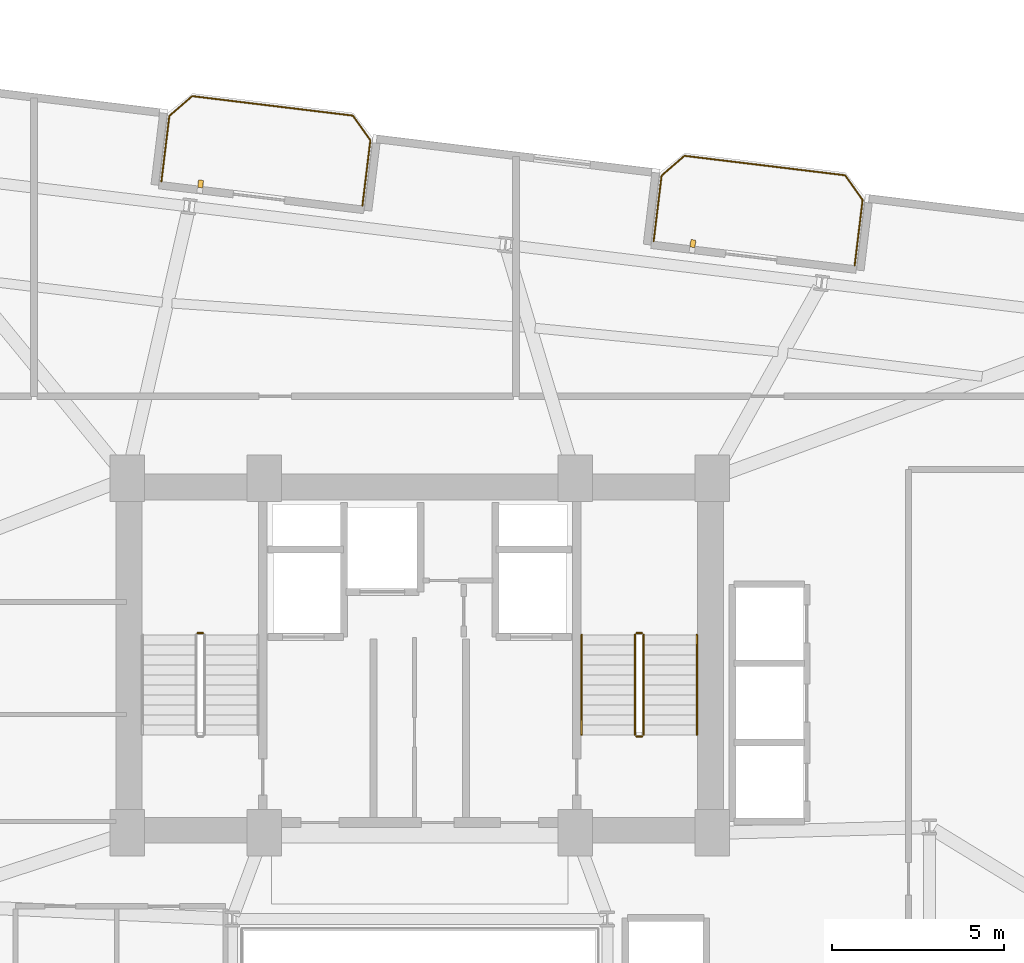
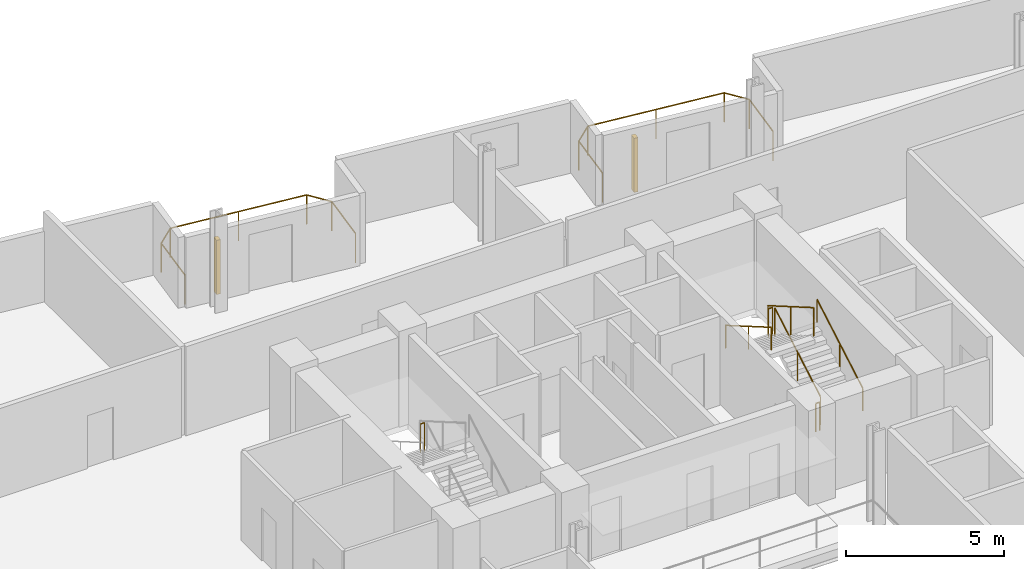
# One storey, part 25 of 25: 9 railings, 2 shading devices.
"""IFC4 building model written with IfcOpenShell, lengths in metres."""

import ifcopenshell
import ifcopenshell.guid

model = None  # the IFC model being written
_history = None  # IfcOwnerHistory: only IFC2X3 demands one
_inside = {}  # id of a spatial element -> (the spatial element, [elements in it])
_under = {}  # id of a project, library or spatial element -> (it, [spatial elements below it])
_declared = {}  # id of a project -> (the project, [libraries it declares])
_typed = {}  # id of a type object -> (the type object, [elements of that type])
_made_of = {}  # id of a material, layer set ... -> (it, [elements and type objects made of it])


def new_model(schema):
    """Start an empty IFC model of exactly this schema.

    Asked for "IFC4X3", IfcOpenShell would pick the latest addendum, in which some entities
    have other attributes; the version numbers below select the first issue.
    IFC2X3 requires an IfcOwnerHistory on every rooted entity: one is made here for all.
    """
    global model, _history
    if schema == "IFC4X3":
        model = ifcopenshell.file(schema_version=(4, 3, 0, 0))
    else:
        model = ifcopenshell.file(schema=schema)
    _inside.clear()
    _under.clear()
    _declared.clear()
    _typed.clear()
    _made_of.clear()
    _history = None
    if model.schema == "IFC2X3":
        org = make("IfcOrganization", Name="unknown")
        user = make(
            "IfcPersonAndOrganization",
            ThePerson=make("IfcPerson", FamilyName="unknown"),
            TheOrganization=org,
        )
        app = make(
            "IfcApplication",
            ApplicationDeveloper=org,
            Version="unknown",
            ApplicationFullName="unknown",
            ApplicationIdentifier="unknown",
        )
        _history = make(
            "IfcOwnerHistory",
            OwningUser=user,
            OwningApplication=app,
            ChangeAction="ADDED",
            CreationDate=0,
        )
    return model


def make(cls, **values):
    """One entity of the class cls with the attributes given. An attribute that is None is left unset."""
    return model.create_entity(
        cls, **{name: value for name, value in values.items() if value is not None}
    )


def rooted(cls, **values):
    """An entity with a GlobalId (a new one), such as an element, a storey or a relation."""
    return make(cls, GlobalId=ifcopenshell.guid.new(), OwnerHistory=_history, **values)


def si_unit(unit_type, name, prefix=None):
    """IfcSIUnit, for example si_unit("LENGTHUNIT", "METRE", prefix="MILLI")."""
    return make("IfcSIUnit", UnitType=unit_type, Prefix=prefix, Name=name)


def assignment(units):
    """IfcUnitAssignment: the units of a project."""
    return None if units is None else make("IfcUnitAssignment", Units=units)


def point(xyz):
    """IfcCartesianPoint."""
    return None if xyz is None else make("IfcCartesianPoint", Coordinates=xyz)


def direction(xyz):
    """IfcDirection."""
    return None if xyz is None else make("IfcDirection", DirectionRatios=xyz)


def frame(location, z_axis=None, x_axis=None):
    """IfcAxis2Placement3D, a coordinate frame: its origin and axes. An axis left out is left unset."""
    return make(
        "IfcAxis2Placement3D",
        Location=point(location),
        Axis=direction(z_axis),
        RefDirection=direction(x_axis),
    )


def frame_2d(location, x_axis=None):
    """IfcAxis2Placement2D, a coordinate frame in the plane: its origin and x axis."""
    return make(
        "IfcAxis2Placement2D", Location=point(location), RefDirection=direction(x_axis)
    )


def origin():
    """The frame at (0, 0, 0) with its axes left unset."""
    return frame((0.0, 0.0, 0.0))


def origin_2d():
    """The frame at (0, 0) in the plane with its x axis left unset."""
    return frame_2d((0.0, 0.0))


def place(relative_to, where):
    """IfcLocalPlacement: puts the frame where relative to a parent placement (None: the world)."""
    return make(
        "IfcLocalPlacement", PlacementRelTo=relative_to, RelativePlacement=where
    )


def context(
    kind, dimensions, precision=None, world=None, true_north=None, identifier=None
):
    """IfcGeometricRepresentationContext, for example the 3D "Model" context."""
    return make(
        "IfcGeometricRepresentationContext",
        ContextIdentifier=identifier,
        ContextType=kind,
        CoordinateSpaceDimension=dimensions,
        Precision=precision,
        WorldCoordinateSystem=world,
        TrueNorth=true_north,
    )


def subcontext(parent, identifier, kind, view, scale=None):
    """IfcGeometricRepresentationSubContext, for example "Body" below "Model"."""
    return make(
        "IfcGeometricRepresentationSubContext",
        ContextIdentifier=identifier,
        ContextType=kind,
        ParentContext=parent,
        TargetScale=scale,
        TargetView=view,
    )


def project(units=None, contexts=None):
    """IfcProject with its units and contexts."""
    return rooted(
        "IfcProject",
        Name="project",
        RepresentationContexts=contexts,
        UnitsInContext=assignment(units),
    )


def spatial(cls, under=None, at=None, **own):
    """A site, building, storey or space (cls), placed at a placement, below another one or the project."""
    s = rooted(cls, ObjectPlacement=at, **own)
    if under is not None:
        _under.setdefault(under.id(), (under, []))[1].append(s)
    return s


def profile(cls, at=None, kind="AREA", **sizes):
    """A parametric profile (cls). Its sizes go by their IFC names, for example OverallWidth=200.0."""
    return make(cls, ProfileType=kind, Position=at, **sizes)


def rectangle(**sizes):
    """IfcRectangleProfileDef."""
    return profile("IfcRectangleProfileDef", **sizes)


def circle(**sizes):
    """IfcCircleProfileDef."""
    return profile("IfcCircleProfileDef", **sizes)


def extrude(swept, where, along, depth):
    """IfcExtrudedAreaSolid: the profile swept, set in the frame where, extruded along a direction by depth."""
    return make(
        "IfcExtrudedAreaSolid",
        SweptArea=swept,
        Position=where,
        ExtrudedDirection=direction(along),
        Depth=depth,
    )


def shape(context_of_items, identifier, shape_type, items):
    """IfcShapeRepresentation: the items that make up one representation, for example the "Body"."""
    return make(
        "IfcShapeRepresentation",
        ContextOfItems=context_of_items,
        RepresentationIdentifier=identifier,
        RepresentationType=shape_type,
        Items=items,
    )


def source(mapping_origin, context_of_items, identifier, shape_type, items):
    """IfcRepresentationMap: a shape defined once, which mapped items show again and again."""
    return make(
        "IfcRepresentationMap",
        MappingOrigin=mapping_origin,
        MappedRepresentation=shape(context_of_items, identifier, shape_type, items),
    )


def transform(
    local_origin,
    x_axis=None,
    y_axis=None,
    z_axis=None,
    scale=None,
    scale2=None,
    scale3=None,
    uniform=True,
):
    """IfcCartesianTransformationOperator3D, or its non-uniform kind. x_axis, y_axis, z_axis: its Axis1, 2, 3."""
    if uniform:
        return make(
            "IfcCartesianTransformationOperator3D",
            Axis1=direction(x_axis),
            Axis2=direction(y_axis),
            LocalOrigin=point(local_origin),
            Scale=scale,
            Axis3=direction(z_axis),
        )
    return make(
        "IfcCartesianTransformationOperator3DnonUniform",
        Axis1=direction(x_axis),
        Axis2=direction(y_axis),
        LocalOrigin=point(local_origin),
        Scale=scale,
        Axis3=direction(z_axis),
        Scale2=scale2,
        Scale3=scale3,
    )


def mapped(mapping_source, mapping_target):
    """IfcMappedItem: shows the shape of a source again, moved by a transform."""
    return make(
        "IfcMappedItem", MappingSource=mapping_source, MappingTarget=mapping_target
    )


def material(Name=None, Category=None):
    """IfcMaterial."""
    return make("IfcMaterial", Name=Name, Category=Category)


def made_of(thing, what):
    """Note that an element or type object is made of a material, layer set ...; save() writes the relation."""
    if what is not None:
        _made_of.setdefault(what.id(), (what, []))[1].append(thing)
    return thing


def type_object(cls, material=None, **own):
    """A type object (cls), such as IfcWallType, which elements share."""
    return made_of(rooted(cls, **own), material)


def element(
    cls,
    number,
    at=None,
    inside=None,
    cuts=None,
    type_object=None,
    material=None,
    context=None,
    identifier="Body",
    shape_type=None,
    held_by="IfcProductDefinitionShape",
    body=None,
    shapes=None,
    **own,
):
    """One element of the class cls, such as IfcWall. Its Tag is "e" and its number.

    at: its placement. inside: the storey or other place that contains it. cuts: it is an
    opening in that element (IfcRelVoidsElement). A single representation is given by context,
    identifier, shape_type and body (its items); several are given by shapes. held_by: the class
    of the entity that holds the representations. save() writes the other relations.
    """
    e = rooted(cls, Tag="e%d" % number, ObjectPlacement=at, **own)
    if body is not None:
        shapes = [shape(context, identifier, shape_type, body)]
    if shapes is not None:
        e.Representation = make(held_by, Representations=shapes)
    if inside is not None:
        _inside.setdefault(inside.id(), (inside, []))[1].append(e)
    if cuts is not None:
        rooted(
            "IfcRelVoidsElement", RelatingBuildingElement=cuts, RelatedOpeningElement=e
        )
    if type_object is not None:
        _typed.setdefault(type_object.id(), (type_object, []))[1].append(e)
    return made_of(e, material)


def aggregate(whole, parts):
    """IfcRelAggregates: a whole, such as a stair, and the parts it consists of."""
    return rooted("IfcRelAggregates", RelatingObject=whole, RelatedObjects=parts)


def save(model, path):
    """Write the relations noted so far, then the file.

    IfcRelAggregates (storeys below a building ...), IfcRelContainedInSpatialStructure (elements
    in a storey), IfcRelDefinesByType, IfcRelAssociatesMaterial and IfcRelDeclares: one each for
    every whole, place, type object, material and project.
    """
    for whole, parts in _under.values():
        aggregate(whole, parts)
    for where, things in _inside.values():
        rooted(
            "IfcRelContainedInSpatialStructure",
            RelatedElements=things,
            RelatingStructure=where,
        )
    for kind, things in _typed.values():
        rooted("IfcRelDefinesByType", RelatedObjects=things, RelatingType=kind)
    for what, things in _made_of.values():
        rooted("IfcRelAssociatesMaterial", RelatedObjects=things, RelatingMaterial=what)
    for by, libraries in _declared.values():
        rooted("IfcRelDeclares", RelatingContext=by, RelatedDefinitions=libraries)
    model.write(path)


model = new_model("IFC4")

# Units and contexts
model_context = context("Model", 3, precision=1e-05, world=origin(), true_north=direction((0.0, 1.0)))
body_context = subcontext(model_context, "Body", "Model", "MODEL_VIEW")
ifc_project = project(units=[si_unit("LENGTHUNIT", "METRE"), si_unit("AREAUNIT", "SQUARE_METRE"), si_unit("VOLUMEUNIT", "CUBIC_METRE"), si_unit("PLANEANGLEUNIT", "RADIAN"), si_unit("MASSUNIT", "GRAM", prefix="KILO")], contexts=[model_context])

# Site, building, storey
site_placement = place(None, origin())
site = spatial("IfcSite", under=ifc_project, at=site_placement, CompositionType="ELEMENT")
building_placement = place(site_placement, origin())
building = spatial("IfcBuilding", under=site, at=building_placement, Name="Varnelok Gate Tower", CompositionType="ELEMENT")
storey_placement = place(building_placement, frame((0.0, 0.0, 140.199951171875)))
storey = spatial("IfcBuildingStorey", under=building, at=storey_placement, Name="L35", CompositionType="ELEMENT", Elevation=140.199951171875)

# Railings
ifc_material_1 = material(Name="Low-E Laminated Double Glazing IGU", Category="glass")
railing_type_1 = type_object("IfcRailingType", Name="RL-BALC-1150", PredefinedType="BALUSTRADE", material=ifc_material_1)
railing_1_placement = place(storey_placement, frame((31.697021484375, 47.66552734375, 0.0)))
element("IfcRailing", 1, at=railing_1_placement, inside=storey, type_object=railing_type_1, Name="L35 North Terrace Balustrade 3", PredefinedType="BALUSTRADE", context=body_context, shape_type="SweptSolid", body=[
    extrude(circle(Radius=0.02392578125, at=origin_2d()), frame((0.0, 0.0, 1.1259765625), z_axis=(0.120293392036, 0.992738384386, 0.0), x_axis=(-0.992738384386, 0.120293392036, 0.0)), (0.0, 0.0, 1.0), 1.919921875),
    extrude(circle(Radius=0.02392578125, at=origin_2d()), frame((0.23095703125, 1.906005859375, 1.1259765625), z_axis=(0.756422670136, 0.654083132411, 0.0), x_axis=(-0.654083132411, 0.756422670136, 0.0)), (0.0, 0.0, 1.0), 0.8779296875),
    extrude(circle(Radius=0.02392578125, at=origin_2d()), frame((0.89501953125, 2.480224609375, 1.1259765625), z_axis=(0.992730585037, -0.120357739811, 0.0), x_axis=(0.120357739811, 0.992730585037, 0.0)), (0.0, 0.0, 1.0), 4.699951171875),
    extrude(circle(Radius=0.02392578125, at=origin_2d()), frame((5.560791015625, 1.91455078125, 1.1259765625), z_axis=(0.578287426437, -0.81583310329, 0.0), x_axis=(0.81583310329, 0.578287426437, 0.0)), (0.0, 0.0, 1.0), 0.877685546875),
    extrude(circle(Radius=0.02392578125, at=origin_2d()), frame((6.068359375, 1.198486328125, 1.1259765625), z_axis=(-0.120418709125, -0.992723191274, 0.0), x_axis=(0.992723191274, -0.120418709125, 0.0)), (0.0, 0.0, 1.0), 1.919921875),
    extrude(circle(Radius=0.02099609375, at=origin_2d()), origin(), (0.0, 0.0, 1.0), 1.101806640625),
    extrude(circle(Radius=0.02099609375, at=origin_2d()), frame((0.23095703125, 1.906005859375, 0.0)), (0.0, 0.0, 1.0), 1.101806640625),
    extrude(circle(Radius=0.02099609375, at=origin_2d()), frame((0.89501953125, 2.480224609375, 0.0)), (0.0, 0.0, 1.0), 1.101806640625),
    extrude(circle(Radius=0.02099609375, at=origin_2d()), frame((3.22802734375, 2.197265625, 0.0)), (0.0, 0.0, 1.0), 1.101806640625),
    extrude(circle(Radius=0.02099609375, at=origin_2d()), frame((5.560791015625, 1.91455078125, 0.0)), (0.0, 0.0, 1.0), 1.101806640625),
    extrude(circle(Radius=0.02099609375, at=origin_2d()), frame((6.068359375, 1.198486328125, 0.0)), (0.0, 0.0, 1.0), 1.101806640625),
    extrude(circle(Radius=0.02099609375, at=origin_2d()), frame((5.837158203125, -0.70751953125, 0.0)), (0.0, 0.0, 1.0), 1.101806640625),
])
railing_2_placement = place(storey_placement, frame((45.992431640625, 45.9326171875, 0.0)))
element("IfcRailing", 2, at=railing_2_placement, inside=storey, type_object=railing_type_1, Name="L35 North Terrace Balustrade 4", PredefinedType="BALUSTRADE", context=body_context, shape_type="SweptSolid", body=[
    extrude(circle(Radius=0.02392578125, at=origin_2d()), frame((0.0, 0.0, 1.1259765625), z_axis=(0.120293392036, 0.992738384386, 0.0), x_axis=(-0.992738384386, 0.120293392036, 0.0)), (0.0, 0.0, 1.0), 1.919921875),
    extrude(circle(Radius=0.02392578125, at=origin_2d()), frame((0.23095703125, 1.906005859375, 1.1259765625), z_axis=(0.756422670136, 0.654083132411, 0.0), x_axis=(-0.654083132411, 0.756422670136, 0.0)), (0.0, 0.0, 1.0), 0.8779296875),
    extrude(circle(Radius=0.02392578125, at=origin_2d()), frame((0.89501953125, 2.480224609375, 1.1259765625), z_axis=(0.992730585037, -0.120357739811, 0.0), x_axis=(0.120357739811, 0.992730585037, 0.0)), (0.0, 0.0, 1.0), 4.699951171875),
    extrude(circle(Radius=0.02392578125, at=origin_2d()), frame((5.560791015625, 1.91455078125, 1.1259765625), z_axis=(0.57815621837, -0.815926091726, 0.0), x_axis=(0.815926091726, 0.57815621837, 0.0)), (0.0, 0.0, 1.0), 0.8779296875),
    extrude(circle(Radius=0.02392578125, at=origin_2d()), frame((6.068359375, 1.1982421875, 1.1259765625), z_axis=(-0.120418709125, -0.992723191274, 0.0), x_axis=(0.992723191274, -0.120418709125, 0.0)), (0.0, 0.0, 1.0), 1.919921875),
    extrude(circle(Radius=0.02099609375, at=origin_2d()), origin(), (0.0, 0.0, 1.0), 1.101806640625),
    extrude(circle(Radius=0.02099609375, at=origin_2d()), frame((0.23095703125, 1.906005859375, 0.0)), (0.0, 0.0, 1.0), 1.101806640625),
    extrude(circle(Radius=0.02099609375, at=origin_2d()), frame((0.89501953125, 2.480224609375, 0.0)), (0.0, 0.0, 1.0), 1.101806640625),
    extrude(circle(Radius=0.02099609375, at=origin_2d()), frame((3.22802734375, 2.197265625, 0.0)), (0.0, 0.0, 1.0), 1.101806640625),
    extrude(circle(Radius=0.02099609375, at=origin_2d()), frame((5.560791015625, 1.91455078125, 0.0)), (0.0, 0.0, 1.0), 1.101806640625),
    extrude(circle(Radius=0.02099609375, at=origin_2d()), frame((6.068359375, 1.1982421875, 0.0)), (0.0, 0.0, 1.0), 1.101806640625),
    extrude(circle(Radius=0.02099609375, at=origin_2d()), frame((5.837158203125, -0.707763671875, 0.0)), (0.0, 0.0, 1.0), 1.101806640625),
])
ifc_material_2 = material(Name="Brushed Stainless Steel AISI 316", Category="steel")
railing_type_2 = type_object("IfcRailingType", Name="RL-HANDRAIL-900", PredefinedType="HANDRAIL", material=ifc_material_2)
railing_3_placement = place(storey_placement, frame((47.25, 31.60009765625, 0.168212890625)))
element("IfcRailing", 3, at=railing_3_placement, inside=storey, type_object=railing_type_2, Name="L35 ST-2 stair handrail 1", PredefinedType="HANDRAIL", context=body_context, shape_type="SweptSolid", body=[
    extrude(circle(Radius=0.02392578125, at=origin_2d()), frame((0.0, 0.0, 0.8759765625), z_axis=(0.0, 0.865038774852, 0.501705010941), x_axis=(-1.0, 0.0, 0.0)), (0.0, 0.0, 1.0), 3.352294921875),
    extrude(circle(Radius=0.02099609375, at=origin_2d()), origin(), (0.0, 0.0, 1.0), 0.851806640625),
    extrude(circle(Radius=0.02099609375, at=origin_2d()), frame((0.0, 1.449951171875, 0.8408203125)), (0.0, 0.0, 1.0), 0.851806640625),
    extrude(circle(Radius=0.02099609375, at=origin_2d()), frame((0.0, 2.89990234375, 1.681884765625)), (0.0, 0.0, 1.0), 0.851806640625),
])
railing_4_placement = place(storey_placement, frame((43.89990234375, 34.5, 2.018310546875)))
element("IfcRailing", 4, at=railing_4_placement, inside=storey, type_object=railing_type_2, Name="L35 ST-2 stair handrail 2", PredefinedType="HANDRAIL", context=body_context, shape_type="SweptSolid", body=[
    extrude(circle(Radius=0.02392578125, at=origin_2d()), frame((0.0, 0.0, 0.8759765625), z_axis=(0.0, -0.86507038078, 0.501650512107), x_axis=(1.0, 0.0, 0.0)), (0.0, 0.0, 1.0), 3.352294921875),
    extrude(circle(Radius=0.02099609375, at=origin_2d()), origin(), (0.0, 0.0, 1.0), 0.851806640625),
    extrude(circle(Radius=0.02099609375, at=origin_2d()), frame((0.0, -1.449951171875, 0.8408203125)), (0.0, 0.0, 1.0), 0.851806640625),
    extrude(circle(Radius=0.02099609375, at=origin_2d()), frame((0.0, -2.89990234375, 1.681640625)), (0.0, 0.0, 1.0), 0.851806640625),
])
ifc_material_3 = material(Name="Galvanized Steel Grade S350GD", Category="steel")
railing_type_3 = type_object("IfcRailingType", Name="RL-STAIR-GUARD1120", PredefinedType="GUARDRAIL", material=ifc_material_3)
railing_5_placement = place(storey_placement, frame((32.89990234375, 34.550048828125, 1.85009765625)))
element("IfcRailing", 5, at=railing_5_placement, inside=storey, type_object=railing_type_3, Name="L35 ST-1 stair guard 2", PredefinedType="GUARDRAIL", context=body_context, shape_type="SweptSolid", body=[
    extrude(circle(Radius=0.02392578125, at=origin_2d()), frame((0.0, 0.0, 1.09619140625), z_axis=(-1.0, 0.0, 0.0), x_axis=(0.0, -1.0, 0.0)), (0.0, 0.0, 1.0), 0.14990234375),
    extrude(circle(Radius=0.02099609375, at=origin_2d()), origin(), (0.0, 0.0, 1.0), 1.072021484375),
    extrude(circle(Radius=0.02099609375, at=origin_2d()), frame((-0.14990234375, 0.0, 0.0)), (0.0, 0.0, 1.0), 1.072021484375),
])
railing_6_placement = place(storey_placement, frame((45.699951171875, 31.60009765625, 0.168212890625)))
element("IfcRailing", 6, at=railing_6_placement, inside=storey, type_object=railing_type_3, Name="L35 ST-2 stair guard 1", PredefinedType="GUARDRAIL", context=body_context, shape_type="SweptSolid", body=[
    extrude(circle(Radius=0.02392578125, at=origin_2d()), frame((0.0, 0.0, 1.09619140625), z_axis=(0.0, 0.865038774852, 0.501705010941), x_axis=(-1.0, 0.0, 0.0)), (0.0, 0.0, 1.0), 3.352294921875),
    extrude(circle(Radius=0.02099609375, at=origin_2d()), origin(), (0.0, 0.0, 1.0), 1.072021484375),
    extrude(circle(Radius=0.02099609375, at=origin_2d()), frame((0.0, 1.449951171875, 0.8408203125)), (0.0, 0.0, 1.0), 1.072021484375),
    extrude(circle(Radius=0.02099609375, at=origin_2d()), frame((0.0, 2.89990234375, 1.681884765625)), (0.0, 0.0, 1.0), 1.072021484375),
])
railing_7_placement = place(storey_placement, frame((45.64990234375, 34.550048828125, 1.85009765625)))
element("IfcRailing", 7, at=railing_7_placement, inside=storey, type_object=railing_type_3, Name="L35 ST-2 stair guard 2", PredefinedType="GUARDRAIL", context=body_context, shape_type="SweptSolid", body=[
    extrude(circle(Radius=0.02392578125, at=origin_2d()), frame((0.0, 0.0, 1.09619140625), z_axis=(-1.0, 0.0, 0.0), x_axis=(0.0, -1.0, 0.0)), (0.0, 0.0, 1.0), 0.14990234375),
    extrude(circle(Radius=0.02099609375, at=origin_2d()), origin(), (0.0, 0.0, 1.0), 1.072021484375),
    extrude(circle(Radius=0.02099609375, at=origin_2d()), frame((-0.14990234375, 0.0, 0.0)), (0.0, 0.0, 1.0), 1.072021484375),
])
railing_8_placement = place(storey_placement, frame((45.449951171875, 34.5, 2.018310546875)))
element("IfcRailing", 8, at=railing_8_placement, inside=storey, type_object=railing_type_3, Name="L35 ST-2 stair guard 3", PredefinedType="GUARDRAIL", context=body_context, shape_type="SweptSolid", body=[
    extrude(circle(Radius=0.02392578125, at=origin_2d()), frame((0.0, 0.0, 1.09619140625), z_axis=(0.0, -0.86507038078, 0.501650512107), x_axis=(1.0, 0.0, 0.0)), (0.0, 0.0, 1.0), 3.352294921875),
    extrude(circle(Radius=0.02099609375, at=origin_2d()), origin(), (0.0, 0.0, 1.0), 1.072021484375),
    extrude(circle(Radius=0.02099609375, at=origin_2d()), frame((0.0, -1.449951171875, 0.8408203125)), (0.0, 0.0, 1.0), 1.072021484375),
    extrude(circle(Radius=0.02099609375, at=origin_2d()), frame((0.0, -2.89990234375, 1.681640625)), (0.0, 0.0, 1.0), 1.072021484375),
])
railing_9_placement = place(storey_placement, frame((45.64990234375, 31.550048828125, 0.0)))
element("IfcRailing", 9, at=railing_9_placement, inside=storey, type_object=railing_type_3, Name="L35 ST-2 stair guard 4", PredefinedType="GUARDRAIL", context=body_context, shape_type="SweptSolid", body=[
    extrude(circle(Radius=0.02392578125, at=origin_2d()), frame((0.0, 0.0, 1.09619140625), z_axis=(-1.0, 0.0, 0.0), x_axis=(0.0, -1.0, 0.0)), (0.0, 0.0, 1.0), 0.14990234375),
    extrude(circle(Radius=0.02099609375, at=origin_2d()), origin(), (0.0, 0.0, 1.0), 1.072021484375),
    extrude(circle(Radius=0.02099609375, at=origin_2d()), frame((-0.14990234375, 0.0, 0.0)), (0.0, 0.0, 1.0), 1.072021484375),
])

# Shading devices
ifc_material_4 = material(Name="Glazed Architectural Terracotta Ceramic", Category="masonry")
shading_device_type = type_object("IfcShadingDeviceType", Name="SHD-TERRA-FIN", PredefinedType="USERDEFINED", material=ifc_material_4)
shared_shape = source(origin(), body_context, "Body", "SweptSolid", [
    extrude(rectangle(XDim=0.139892578125, YDim=0.219970703125, at=origin_2d()), origin(), (0.0, 0.0, 1.0), 2.10009765625),
])
for number, where, z_axis, x_axis, name in (
    (10, (32.837158203125, 47.597900390625, 0.10009765625), (0.0, 0.0, 1.0), (0.992732158755, -0.12034475881, 0.0), "L35 Terracotta Ceramic Baguette Sunscreen 3.1"),
    (11, (47.132568359375, 45.86474609375, 0.10009765625), (0.0, 0.0, 1.0), (0.992732158755, -0.12034475881, 0.0), "L35 Terracotta Ceramic Baguette Sunscreen 4.1"),
):
    element("IfcShadingDevice", number, at=place(storey_placement, frame(where, z_axis=z_axis, x_axis=x_axis)), inside=storey, type_object=shading_device_type, Name=name, ObjectType="BAGUETTE", PredefinedType="USERDEFINED", context=body_context, shape_type="MappedRepresentation", body=[
        mapped(shared_shape, transform((0.0, 0.0, 0.0), scale=1.0)),
    ])

save(model, "model.ifc")
